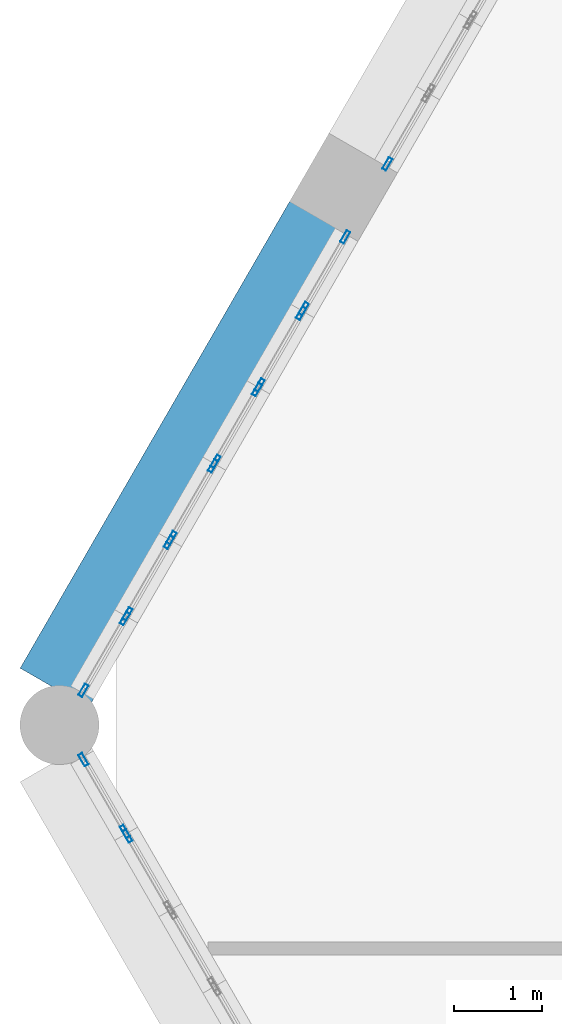
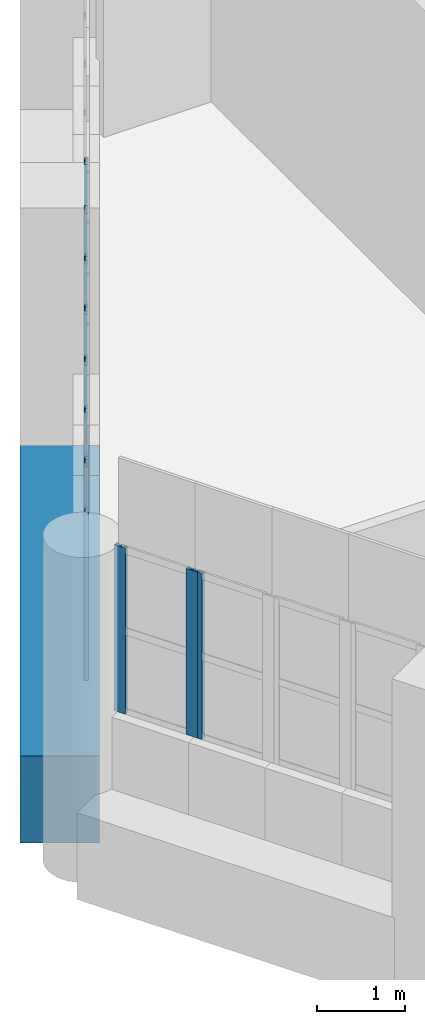
# One storey, part 4 of 23: 16 members, 1 beam, 9 elements without a shape of their own.
"""IFC4 building model written with IfcOpenShell, lengths in metres."""

from ifc_helpers import new_model, si_unit, direction, frame, origin, origin_2d, place, context, subcontext, project, spatial, rectangle, hollow_rectangle, extrude, material, material_profile, profile_set, type_object, element, aggregate, save


model = new_model("IFC4")

# Units and contexts
model_context = context("Model", 3, precision=1e-05, world=origin(), true_north=direction((0.0, 1.0)))
body_context = subcontext(model_context, "Body", "Model", "MODEL_VIEW")
ifc_project = project(units=[si_unit("LENGTHUNIT", "METRE"), si_unit("AREAUNIT", "SQUARE_METRE"), si_unit("VOLUMEUNIT", "CUBIC_METRE"), si_unit("PLANEANGLEUNIT", "RADIAN"), si_unit("MASSUNIT", "GRAM", prefix="KILO")], contexts=[model_context])

# Site, building, storey
site_placement = place(None, origin())
site = spatial("IfcSite", under=ifc_project, at=site_placement, CompositionType="ELEMENT")
building_placement = place(site_placement, origin())
building = spatial("IfcBuilding", under=site, at=building_placement, Name="Ostrander Bayou Hotel Tower", CompositionType="ELEMENT")
storey_placement = place(building_placement, frame((0.0, 0.0, 279.5)))
storey = spatial("IfcBuildingStorey", under=building, at=storey_placement, Name="L69", CompositionType="ELEMENT", Elevation=279.5)

# Curtain wall, member
ifc_material_1 = material(Name="Aluminium and clear glass", Category="aluminium")
curtain_wall_type = type_object("IfcCurtainWallType", Name="CW-CROWN glazed wall", PredefinedType="NOTDEFINED", material=ifc_material_1)
curtain_wall_1_placement = place(storey_placement, origin())
curtain_wall_1 = element("IfcCurtainWall", 1, at=curtain_wall_1_placement, inside=storey, type_object=curtain_wall_type, Name="CW-CROWN L69:NW-2-6", PredefinedType="NOTDEFINED")
ifc_material_2 = material(Name="Aluminium", Category="aluminium")
ifc_material_profile_1 = material_profile(ifc_material_2, hollow_rectangle(XDim=0.050048828125, YDim=0.14990234375, WallThickness=0.00390625, at=origin_2d()))
ifc_profile_set_1 = profile_set([ifc_material_profile_1], Name="Aluminium")
member_type = type_object("IfcMemberType", Name="CW-CR mullion 50 x 150 mm", PredefinedType="MULLION", material=ifc_profile_set_1)
member_1_placement = place(storey_placement, frame((-14.755859375, 5.22900390625, 1.0), z_axis=(0.0, 0.0, 1.0), x_axis=(0.866022491007, -0.500005045044, 0.0)))
member_1 = element("IfcMember", 2, at=member_1_placement, type_object=member_type, Name="CW-CROWN mullion 2", PredefinedType="MULLION", context=body_context, shape_type="SweptSolid", body=[
    extrude(hollow_rectangle(XDim=0.050048828125, YDim=0.14990234375, WallThickness=0.00390625, at=origin_2d()), origin(), (0.0, 0.0, 1.0), 2.300048828125),
])
aggregate(curtain_wall_1, [member_1])

# Curtain wall, members
curtain_wall_2_placement = place(storey_placement, origin())
curtain_wall_2 = element("IfcCurtainWall", 3, at=curtain_wall_2_placement, inside=storey, type_object=curtain_wall_type, Name="CW-CROWN L69:NW-3-1", PredefinedType="NOTDEFINED")
member_2_placement = place(storey_placement, frame((-15.23583984375, 4.397705078125, 1.0), z_axis=(0.0, 0.0, 1.0), x_axis=(0.866044474681, -0.499966966783, 0.0)))
member_2 = element("IfcMember", 4, at=member_2_placement, type_object=member_type, Name="CW-CROWN mullion 1", PredefinedType="MULLION", context=body_context, shape_type="SweptSolid", body=[
    extrude(hollow_rectangle(XDim=0.050048828125, YDim=0.14990234375, WallThickness=0.00390625, at=origin_2d()), origin(), (0.0, 0.0, 1.0), 2.300048828125),
])
member_3_placement = place(storey_placement, frame((-15.70751953125, 3.5810546875, 1.0), z_axis=(0.0, 0.0, 1.0), x_axis=(0.866044474681, -0.499966966783, 0.0)))
member_3 = element("IfcMember", 5, at=member_3_placement, type_object=member_type, Name="CW-CROWN mullion 2", PredefinedType="MULLION", context=body_context, shape_type="SweptSolid", body=[
    extrude(hollow_rectangle(XDim=0.050048828125, YDim=0.14990234375, WallThickness=0.00390625, at=origin_2d()), origin(), (0.0, 0.0, 1.0), 2.300048828125),
])
aggregate(curtain_wall_2, [member_2, member_3])

curtain_wall_3_placement = place(storey_placement, origin())
curtain_wall_3 = element("IfcCurtainWall", 6, at=curtain_wall_3_placement, inside=storey, type_object=curtain_wall_type, Name="CW-CROWN L69:NW-3-2", PredefinedType="NOTDEFINED")
member_4_placement = place(storey_placement, frame((-15.7373046875, 3.529052734375, 1.0), z_axis=(0.0, 0.0, 1.0), x_axis=(0.866001306597, -0.50004173523, 0.0)))
member_4 = element("IfcMember", 7, at=member_4_placement, type_object=member_type, Name="CW-CROWN mullion 1", PredefinedType="MULLION", context=body_context, shape_type="SweptSolid", body=[
    extrude(hollow_rectangle(XDim=0.050048828125, YDim=0.14990234375, WallThickness=0.00390625, at=origin_2d()), origin(), (0.0, 0.0, 1.0), 2.300048828125),
])
member_5_placement = place(storey_placement, frame((-16.208984375, 2.712158203125, 1.0), z_axis=(0.0, 0.0, 1.0), x_axis=(0.866001306597, -0.50004173523, 0.0)))
member_5 = element("IfcMember", 8, at=member_5_placement, type_object=member_type, Name="CW-CROWN mullion 2", PredefinedType="MULLION", context=body_context, shape_type="SweptSolid", body=[
    extrude(hollow_rectangle(XDim=0.050048828125, YDim=0.14990234375, WallThickness=0.00390625, at=origin_2d()), origin(), (0.0, 0.0, 1.0), 2.300048828125),
])
aggregate(curtain_wall_3, [member_4, member_5])

curtain_wall_4_placement = place(storey_placement, origin())
curtain_wall_4 = element("IfcCurtainWall", 9, at=curtain_wall_4_placement, inside=storey, type_object=curtain_wall_type, Name="CW-CROWN L69:NW-3-3", PredefinedType="NOTDEFINED")
member_6_placement = place(storey_placement, frame((-16.239013671875, 2.660400390625, 1.0), z_axis=(0.0, 0.0, 1.0), x_axis=(0.866019551165, -0.500010136897, 0.0)))
member_6 = element("IfcMember", 10, at=member_6_placement, type_object=member_type, Name="CW-CROWN mullion 1", PredefinedType="MULLION", context=body_context, shape_type="SweptSolid", body=[
    extrude(hollow_rectangle(XDim=0.050048828125, YDim=0.14990234375, WallThickness=0.00390625, at=origin_2d()), origin(), (0.0, 0.0, 1.0), 2.300048828125),
])
member_7_placement = place(storey_placement, frame((-16.71044921875, 1.84375, 1.0), z_axis=(0.0, 0.0, 1.0), x_axis=(0.866019551165, -0.500010136897, 0.0)))
member_7 = element("IfcMember", 11, at=member_7_placement, type_object=member_type, Name="CW-CROWN mullion 2", PredefinedType="MULLION", context=body_context, shape_type="SweptSolid", body=[
    extrude(hollow_rectangle(XDim=0.050048828125, YDim=0.14990234375, WallThickness=0.00390625, at=origin_2d()), origin(), (0.0, 0.0, 1.0), 2.300048828125),
])
aggregate(curtain_wall_4, [member_6, member_7])

curtain_wall_5_placement = place(storey_placement, origin())
curtain_wall_5 = element("IfcCurtainWall", 12, at=curtain_wall_5_placement, inside=storey, type_object=curtain_wall_type, Name="CW-CROWN L69:NW-3-4", PredefinedType="NOTDEFINED")
member_8_placement = place(storey_placement, frame((-16.740478515625, 1.791748046875, 1.0), z_axis=(0.0, 0.0, 1.0), x_axis=(0.866044474681, -0.499966966783, 0.0)))
member_8 = element("IfcMember", 13, at=member_8_placement, type_object=member_type, Name="CW-CROWN mullion 1", PredefinedType="MULLION", context=body_context, shape_type="SweptSolid", body=[
    extrude(hollow_rectangle(XDim=0.050048828125, YDim=0.14990234375, WallThickness=0.00390625, at=origin_2d()), origin(), (0.0, 0.0, 1.0), 2.300048828125),
])
member_9_placement = place(storey_placement, frame((-17.2119140625, 0.97509765625, 1.0), z_axis=(0.0, 0.0, 1.0), x_axis=(0.866044474681, -0.499966966783, 0.0)))
member_9 = element("IfcMember", 14, at=member_9_placement, type_object=member_type, Name="CW-CROWN mullion 2", PredefinedType="MULLION", context=body_context, shape_type="SweptSolid", body=[
    extrude(hollow_rectangle(XDim=0.050048828125, YDim=0.14990234375, WallThickness=0.00390625, at=origin_2d()), origin(), (0.0, 0.0, 1.0), 2.300048828125),
])
aggregate(curtain_wall_5, [member_8, member_9])

curtain_wall_6_placement = place(storey_placement, origin())
curtain_wall_6 = element("IfcCurtainWall", 15, at=curtain_wall_6_placement, inside=storey, type_object=curtain_wall_type, Name="CW-CROWN L69:NW-3-5", PredefinedType="NOTDEFINED")
member_10_placement = place(storey_placement, frame((-17.241943359375, 0.923095703125, 1.0), z_axis=(0.0, 0.0, 1.0), x_axis=(0.866044474681, -0.499966966783, 0.0)))
member_10 = element("IfcMember", 16, at=member_10_placement, type_object=member_type, Name="CW-CROWN mullion 1", PredefinedType="MULLION", context=body_context, shape_type="SweptSolid", body=[
    extrude(hollow_rectangle(XDim=0.050048828125, YDim=0.14990234375, WallThickness=0.00390625, at=origin_2d()), origin(), (0.0, 0.0, 1.0), 2.300048828125),
])
member_11_placement = place(storey_placement, frame((-17.713623046875, 0.106201171875, 1.0), z_axis=(0.0, 0.0, 1.0), x_axis=(0.866044474681, -0.499966966783, 0.0)))
member_11 = element("IfcMember", 17, at=member_11_placement, type_object=member_type, Name="CW-CROWN mullion 2", PredefinedType="MULLION", context=body_context, shape_type="SweptSolid", body=[
    extrude(hollow_rectangle(XDim=0.050048828125, YDim=0.14990234375, WallThickness=0.00390625, at=origin_2d()), origin(), (0.0, 0.0, 1.0), 2.300048828125),
])
aggregate(curtain_wall_6, [member_10, member_11])

curtain_wall_7_placement = place(storey_placement, origin())
curtain_wall_7 = element("IfcCurtainWall", 18, at=curtain_wall_7_placement, inside=storey, type_object=curtain_wall_type, Name="CW-CROWN L69:NW-3-6", PredefinedType="NOTDEFINED")
member_12_placement = place(storey_placement, frame((-17.743408203125, 0.05419921875, 1.0), z_axis=(0.0, 0.0, 1.0), x_axis=(0.865976376875, -0.500084907485, 0.0)))
member_12 = element("IfcMember", 19, at=member_12_placement, type_object=member_type, Name="CW-CROWN mullion 1", PredefinedType="MULLION", context=body_context, shape_type="SweptSolid", body=[
    extrude(hollow_rectangle(XDim=0.050048828125, YDim=0.14990234375, WallThickness=0.00390625, at=origin_2d()), origin(), (0.0, 0.0, 1.0), 2.300048828125),
])
member_13_placement = place(storey_placement, frame((-18.215087890625, -0.76220703125, 1.0), z_axis=(0.0, 0.0, 1.0), x_axis=(0.865976376875, -0.500084907485, 0.0)))
member_13 = element("IfcMember", 20, at=member_13_placement, type_object=member_type, Name="CW-CROWN mullion 2", PredefinedType="MULLION", context=body_context, shape_type="SweptSolid", body=[
    extrude(hollow_rectangle(XDim=0.050048828125, YDim=0.14990234375, WallThickness=0.00390625, at=origin_2d()), origin(), (0.0, 0.0, 1.0), 2.300048828125),
])
aggregate(curtain_wall_7, [member_12, member_13])

curtain_wall_8_placement = place(storey_placement, origin())
curtain_wall_8 = element("IfcCurtainWall", 21, at=curtain_wall_8_placement, inside=storey, type_object=curtain_wall_type, Name="CW-CROWN L69:SW-1-1", PredefinedType="NOTDEFINED")
member_14_placement = place(storey_placement, frame((-18.215087890625, -1.550537109375, 1.0), z_axis=(0.0, 0.0, 1.0), x_axis=(0.866046247237, 0.499963896343, 0.0)))
member_14 = element("IfcMember", 22, at=member_14_placement, type_object=member_type, Name="CW-CROWN mullion 1", PredefinedType="MULLION", context=body_context, shape_type="SweptSolid", body=[
    extrude(hollow_rectangle(XDim=0.050048828125, YDim=0.14990234375, WallThickness=0.00390625, at=origin_2d()), origin(), (0.0, 0.0, 1.0), 2.300048828125),
])
member_15_placement = place(storey_placement, frame((-17.7431640625, -2.367919921875, 1.0), z_axis=(0.0, 0.0, 1.0), x_axis=(0.866046247237, 0.499963896343, 0.0)))
member_15 = element("IfcMember", 23, at=member_15_placement, type_object=member_type, Name="CW-CROWN mullion 2", PredefinedType="MULLION", context=body_context, shape_type="SweptSolid", body=[
    extrude(hollow_rectangle(XDim=0.050048828125, YDim=0.14990234375, WallThickness=0.00390625, at=origin_2d()), origin(), (0.0, 0.0, 1.0), 2.300048828125),
])
aggregate(curtain_wall_8, [member_14, member_15])

# Curtain wall, member
curtain_wall_9_placement = place(storey_placement, origin())
curtain_wall_9 = element("IfcCurtainWall", 24, at=curtain_wall_9_placement, inside=storey, type_object=curtain_wall_type, Name="CW-CROWN L69:SW-1-2", PredefinedType="NOTDEFINED")
member_16_placement = place(storey_placement, frame((-17.713134765625, -2.419921875, 1.0), z_axis=(0.0, 0.0, 1.0), x_axis=(0.866021344042, 0.500007031615, 0.0)))
member_16 = element("IfcMember", 25, at=member_16_placement, type_object=member_type, Name="CW-CROWN mullion 1", PredefinedType="MULLION", context=body_context, shape_type="SweptSolid", body=[
    extrude(hollow_rectangle(XDim=0.050048828125, YDim=0.14990234375, WallThickness=0.00390625, at=origin_2d()), origin(), (0.0, 0.0, 1.0), 2.300048828125),
])
aggregate(curtain_wall_9, [member_16])

# Beam
ifc_material_3 = material(Name="Concrete f'c 60 MPa", Category="concrete")
ifc_material_profile_2 = material_profile(ifc_material_3, rectangle(XDim=0.89990234375, YDim=1.199951171875, at=origin_2d()))
ifc_profile_set_2 = profile_set([ifc_material_profile_2], Name="Concrete f'c 60 MPa")
beam_type = type_object("IfcBeamType", Name="SP4 spandrel beam 900 x 1200 mm f'c 60 MPa", PredefinedType="SPANDREL", material=ifc_profile_set_2)
beam_placement = place(storey_placement, frame((-15.4658203125, 4.599609375, -0.60009765625), z_axis=(-0.499984362083, -0.866034432152, 0.0), x_axis=(0.866034432152, -0.499984362083, 0.0)))
element("IfcBeam", 26, at=beam_placement, inside=storey, type_object=beam_type, Name="SP4 L69 NW-3", PredefinedType="SPANDREL", context=body_context, shape_type="SweptSolid", body=[
    extrude(rectangle(XDim=0.89990234375, YDim=1.199951171875, at=origin_2d()), origin(), (0.0, 0.0, 1.0), 6.159423828125),
])

save(model, "model.ifc")
